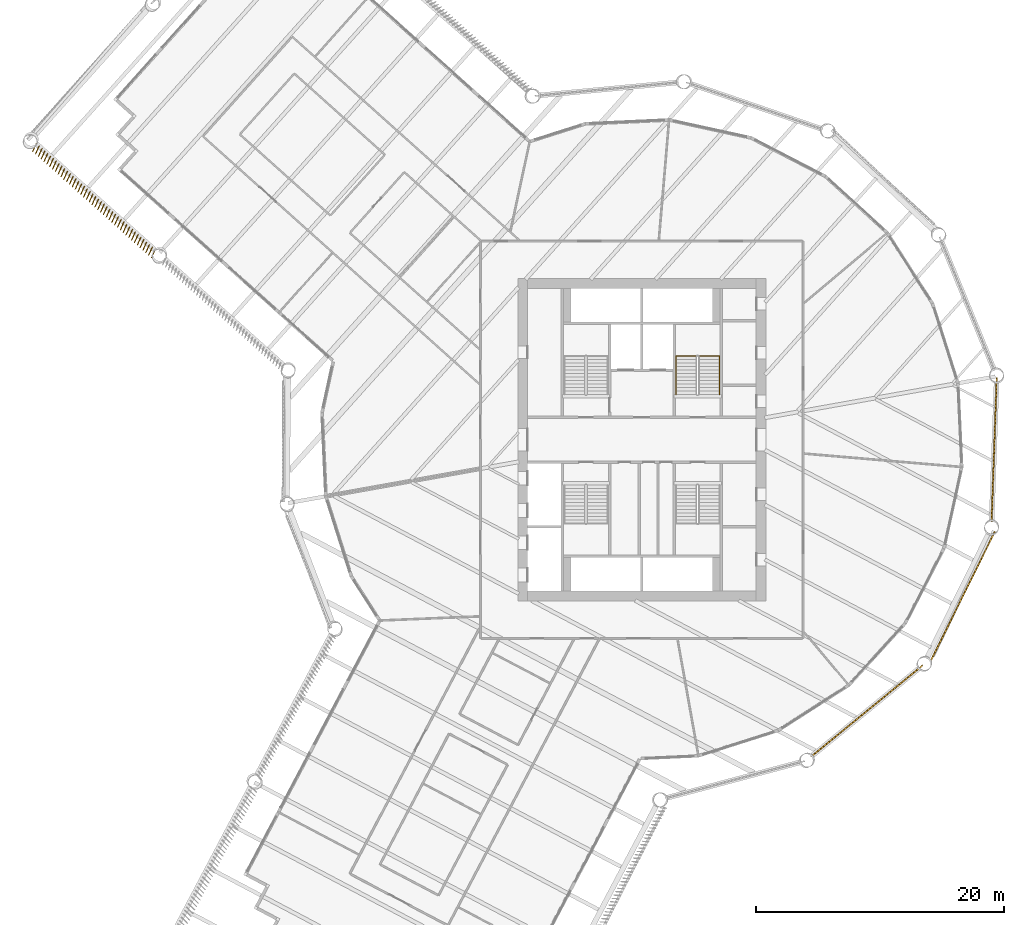
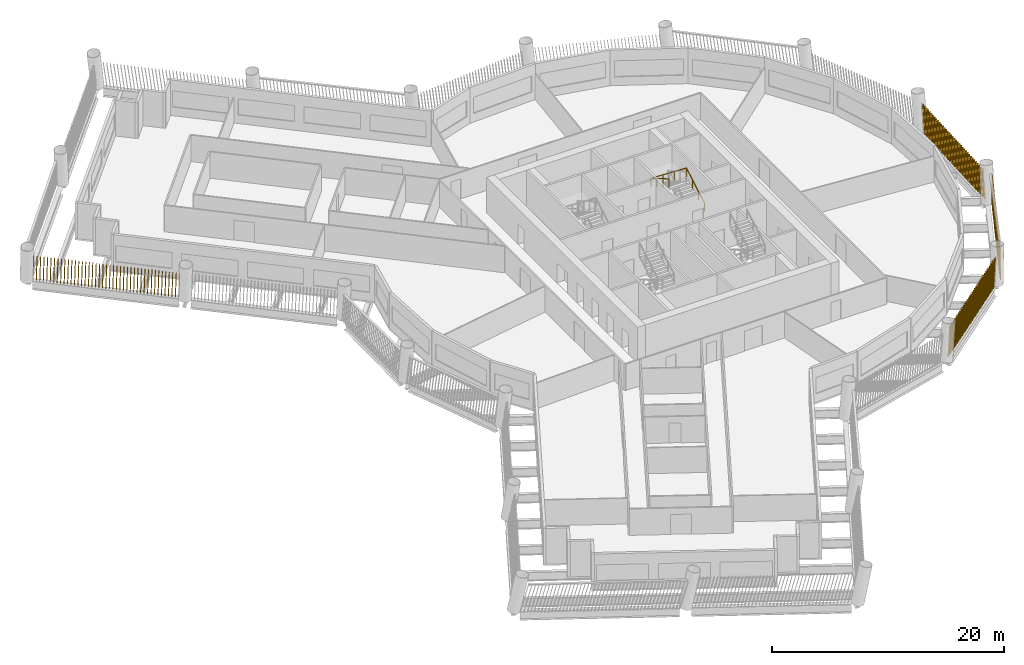
# One storey, part 13 of 16: 4 shading devices, 1 railing.
"""IFC4 building model written with IfcOpenShell, lengths in metres."""

from ifc_helpers import new_model, si_unit, direction, frame, frame_2d, origin, origin_2d, place, context, subcontext, project, spatial, rectangle, circle, composite_profile, extrude, material, type_object, element, save


model = new_model("IFC4")

# Units and contexts
model_context = context("Model", 3, precision=1e-05, world=origin(), true_north=direction((0.0, 1.0)))
body_context = subcontext(model_context, "Body", "Model", "MODEL_VIEW")
ifc_project = project(units=[si_unit("LENGTHUNIT", "METRE"), si_unit("AREAUNIT", "SQUARE_METRE"), si_unit("VOLUMEUNIT", "CUBIC_METRE"), si_unit("PLANEANGLEUNIT", "RADIAN"), si_unit("MASSUNIT", "GRAM", prefix="KILO")], contexts=[model_context])

# Site, building, storey
site_placement = place(None, origin())
site = spatial("IfcSite", under=ifc_project, at=site_placement, CompositionType="ELEMENT")
building_placement = place(site_placement, origin())
building = spatial("IfcBuilding", under=site, at=building_placement, Name="Tarsis Ring Headquarters", CompositionType="ELEMENT")
storey_placement = place(building_placement, frame((0.0, 0.0, 96.699951171875)))
storey = spatial("IfcBuildingStorey", under=building, at=storey_placement, Name="L21", CompositionType="ELEMENT", Elevation=96.699951171875)

# Railing
ifc_material_1 = material(Name="Steel S355", Category="steel")
railing_type = type_object("IfcRailingType", Name="Core stair handrail 900", PredefinedType="HANDRAIL", material=ifc_material_1)
railing_placement = place(storey_placement, frame((6.25, 3.659912109375, 0.16259765625)))
element("IfcRailing", 1, at=railing_placement, inside=storey, type_object=railing_type, Name="L21 ST2 stair handrail 1", PredefinedType="HANDRAIL", context=body_context, shape_type="SweptSolid", body=[
    extrude(circle(Radius=0.02392578125, at=origin_2d()), frame((0.0, 0.0, 0.8759765625), z_axis=(0.0, 0.864920483161, 0.501908913857), x_axis=(-1.0, 0.0, 0.0)), (0.0, 0.0, 1.0), 3.56103515625),
    extrude(circle(Radius=0.02392578125, at=origin_2d()), frame((0.0, 3.080078125, 2.6630859375), z_axis=(-0.998922641604, 0.0, 0.046406422943), x_axis=(0.0, -1.0, 0.0)), (0.0, 0.0, 1.0), 3.503662109375),
    extrude(circle(Radius=0.02392578125, at=origin_2d()), frame((-3.5, 3.080078125, 2.82568359375), z_axis=(0.0, -0.864890721111, 0.501960198159), x_axis=(1.0, 0.0, 0.0)), (0.0, 0.0, 1.0), 3.561279296875),
    extrude(circle(Radius=0.02099609375, at=origin_2d()), origin(), (0.0, 0.0, 1.0), 0.851806640625),
    extrude(circle(Radius=0.02099609375, at=origin_2d()), frame((0.0, 1.026611328125, 0.595703125)), (0.0, 0.0, 1.0), 0.851806640625),
    extrude(circle(Radius=0.02099609375, at=origin_2d()), frame((0.0, 2.053466796875, 1.191650390625)), (0.0, 0.0, 1.0), 0.851806640625),
    extrude(circle(Radius=0.02099609375, at=origin_2d()), frame((0.0, 3.080078125, 1.787353515625)), (0.0, 0.0, 1.0), 0.851806640625),
    extrude(circle(Radius=0.02099609375, at=origin_2d()), frame((-1.166748046875, 3.080078125, 1.841552734375)), (0.0, 0.0, 1.0), 0.851806640625),
    extrude(circle(Radius=0.02099609375, at=origin_2d()), frame((-2.333251953125, 3.080078125, 1.895751953125)), (0.0, 0.0, 1.0), 0.851806640625),
    extrude(circle(Radius=0.02099609375, at=origin_2d()), frame((-3.5, 3.080078125, 1.949951171875)), (0.0, 0.0, 1.0), 0.851806640625),
    extrude(circle(Radius=0.02099609375, at=origin_2d()), frame((-3.5, 2.053466796875, 2.5458984375)), (0.0, 0.0, 1.0), 0.851806640625),
    extrude(circle(Radius=0.02099609375, at=origin_2d()), frame((-3.5, 1.026611328125, 3.1416015625)), (0.0, 0.0, 1.0), 0.851806640625),
    extrude(circle(Radius=0.02099609375, at=origin_2d()), frame((-3.5, 0.0, 3.737548828125)), (0.0, 0.0, 1.0), 0.851806640625),
])

# Shading devices
ifc_material_2 = material(Name="Terracotta baguette", Category="masonry")
shading_device_type = type_object("IfcShadingDeviceType", Name="Terracotta baguette screen", PredefinedType="USERDEFINED", material=ifc_material_2)
shading_device_1_placement = place(storey_placement, frame((13.62548828125, -25.539794921875, 0.0), z_axis=(0.0, 0.0, 1.0), x_axis=(0.774020618557, 0.633163320673, 0.0)))
element("IfcShadingDevice", 2, at=shading_device_1_placement, inside=storey, type_object=shading_device_type, Name="Baguette screen L21-08", ObjectType="Terracotta baguette screen", PredefinedType="USERDEFINED", context=body_context, shape_type="SweptSolid", body=[
    extrude(composite_profile([rectangle(XDim=0.06005859375, YDim=0.1201171875, at=frame_2d((0.030029296875, 0.0))), rectangle(XDim=0.06005859375, YDim=0.1201171875, at=frame_2d((0.33251953125, 0.0))), rectangle(XDim=0.06005859375, YDim=0.1201171875, at=frame_2d((0.634765625, 0.0))), rectangle(XDim=0.06005859375, YDim=0.1201171875, at=frame_2d((0.937255859375, 0.0))), rectangle(XDim=0.06005859375, YDim=0.1201171875, at=frame_2d((1.239501953125, 0.0))), rectangle(XDim=0.06005859375, YDim=0.1201171875, at=frame_2d((1.5419921875, 0.0))), rectangle(XDim=0.06005859375, YDim=0.1201171875, at=frame_2d((1.844482421875, 0.0))), rectangle(XDim=0.06005859375, YDim=0.1201171875, at=frame_2d((2.146728515625, 0.0))), rectangle(XDim=0.06005859375, YDim=0.1201171875, at=frame_2d((2.44921875, 0.0))), rectangle(XDim=0.06005859375, YDim=0.1201171875, at=frame_2d((2.751708984375, 0.0))), rectangle(XDim=0.06005859375, YDim=0.1201171875, at=frame_2d((3.053955078125, 0.0))), rectangle(XDim=0.06005859375, YDim=0.1201171875, at=frame_2d((3.3564453125, 0.0))), rectangle(XDim=0.06005859375, YDim=0.1201171875, at=frame_2d((3.65869140625, 0.0))), rectangle(XDim=0.06005859375, YDim=0.1201171875, at=frame_2d((3.961181640625, 0.0))), rectangle(XDim=0.06005859375, YDim=0.1201171875, at=frame_2d((4.263671875, 0.0))), rectangle(XDim=0.06005859375, YDim=0.1201171875, at=frame_2d((4.56591796875, 0.0))), rectangle(XDim=0.06005859375, YDim=0.1201171875, at=frame_2d((4.868408203125, 0.0))), rectangle(XDim=0.06005859375, YDim=0.1201171875, at=frame_2d((5.1708984375, 0.0))), rectangle(XDim=0.06005859375, YDim=0.1201171875, at=frame_2d((5.47314453125, 0.0))), rectangle(XDim=0.06005859375, YDim=0.1201171875, at=frame_2d((5.775634765625, 0.0))), rectangle(XDim=0.06005859375, YDim=0.1201171875, at=frame_2d((6.077880859375, 0.0))), rectangle(XDim=0.06005859375, YDim=0.1201171875, at=frame_2d((6.38037109375, 0.0))), rectangle(XDim=0.06005859375, YDim=0.1201171875, at=frame_2d((6.682861328125, 0.0))), rectangle(XDim=0.06005859375, YDim=0.1201171875, at=frame_2d((6.985107421875, 0.0))), rectangle(XDim=0.06005859375, YDim=0.1201171875, at=frame_2d((7.28759765625, 0.0))), rectangle(XDim=0.06005859375, YDim=0.1201171875, at=frame_2d((7.590087890625, 0.0))), rectangle(XDim=0.06005859375, YDim=0.1201171875, at=frame_2d((7.892333984375, 0.0))), rectangle(XDim=0.06005859375, YDim=0.1201171875, at=frame_2d((8.19482421875, 0.0))), rectangle(XDim=0.06005859375, YDim=0.1201171875, at=frame_2d((8.4970703125, 0.0))), rectangle(XDim=0.06005859375, YDim=0.1201171875, at=frame_2d((8.799560546875, 0.0))), rectangle(XDim=0.06005859375, YDim=0.1201171875, at=frame_2d((9.10205078125, 0.0))), rectangle(XDim=0.06005859375, YDim=0.1201171875, at=frame_2d((9.404296875, 0.0))), rectangle(XDim=0.06005859375, YDim=0.1201171875, at=frame_2d((9.706787109375, 0.0))), rectangle(XDim=0.06005859375, YDim=0.1201171875, at=frame_2d((10.00927734375, 0.0))), rectangle(XDim=0.06005859375, YDim=0.1201171875, at=frame_2d((10.3115234375, 0.0))), rectangle(XDim=0.06005859375, YDim=0.1201171875, at=frame_2d((10.614013671875, 0.0))), rectangle(XDim=0.06005859375, YDim=0.1201171875, at=frame_2d((10.916259765625, 0.0))), rectangle(XDim=0.06005859375, YDim=0.1201171875, at=frame_2d((11.21875, 0.0)))]), origin(), (0.129810441522, 0.000883397486, 0.991538435403), 2.977783203125),
])
shading_device_2_placement = place(storey_placement, frame((23.277587890625, -17.819580078125, 0.0), z_axis=(0.0, 0.0, 1.0), x_axis=(0.444220167557, 0.895928289274, 0.0)))
element("IfcShadingDevice", 3, at=shading_device_2_placement, inside=storey, type_object=shading_device_type, Name="Baguette screen L21-09", ObjectType="Terracotta baguette screen", PredefinedType="USERDEFINED", context=body_context, shape_type="SweptSolid", body=[
    extrude(composite_profile([rectangle(XDim=0.06005859375, YDim=0.1201171875, at=frame_2d((0.030029296875, 0.0))), rectangle(XDim=0.06005859375, YDim=0.1201171875, at=frame_2d((0.33251953125, 0.0))), rectangle(XDim=0.06005859375, YDim=0.1201171875, at=frame_2d((0.634765625, 0.0))), rectangle(XDim=0.06005859375, YDim=0.1201171875, at=frame_2d((0.937255859375, 0.0))), rectangle(XDim=0.06005859375, YDim=0.1201171875, at=frame_2d((1.239501953125, 0.0))), rectangle(XDim=0.06005859375, YDim=0.1201171875, at=frame_2d((1.5419921875, 0.0))), rectangle(XDim=0.06005859375, YDim=0.1201171875, at=frame_2d((1.844482421875, 0.0))), rectangle(XDim=0.06005859375, YDim=0.1201171875, at=frame_2d((2.146728515625, 0.0))), rectangle(XDim=0.06005859375, YDim=0.1201171875, at=frame_2d((2.44921875, 0.0))), rectangle(XDim=0.06005859375, YDim=0.1201171875, at=frame_2d((2.751708984375, 0.0))), rectangle(XDim=0.06005859375, YDim=0.1201171875, at=frame_2d((3.053955078125, 0.0))), rectangle(XDim=0.06005859375, YDim=0.1201171875, at=frame_2d((3.3564453125, 0.0))), rectangle(XDim=0.06005859375, YDim=0.1201171875, at=frame_2d((3.65869140625, 0.0))), rectangle(XDim=0.06005859375, YDim=0.1201171875, at=frame_2d((3.961181640625, 0.0))), rectangle(XDim=0.06005859375, YDim=0.1201171875, at=frame_2d((4.263671875, 0.0))), rectangle(XDim=0.06005859375, YDim=0.1201171875, at=frame_2d((4.56591796875, 0.0))), rectangle(XDim=0.06005859375, YDim=0.1201171875, at=frame_2d((4.868408203125, 0.0))), rectangle(XDim=0.06005859375, YDim=0.1201171875, at=frame_2d((5.1708984375, 0.0))), rectangle(XDim=0.06005859375, YDim=0.1201171875, at=frame_2d((5.47314453125, 0.0))), rectangle(XDim=0.06005859375, YDim=0.1201171875, at=frame_2d((5.775634765625, 0.0))), rectangle(XDim=0.06005859375, YDim=0.1201171875, at=frame_2d((6.077880859375, 0.0))), rectangle(XDim=0.06005859375, YDim=0.1201171875, at=frame_2d((6.38037109375, 0.0))), rectangle(XDim=0.06005859375, YDim=0.1201171875, at=frame_2d((6.682861328125, 0.0))), rectangle(XDim=0.06005859375, YDim=0.1201171875, at=frame_2d((6.985107421875, 0.0))), rectangle(XDim=0.06005859375, YDim=0.1201171875, at=frame_2d((7.28759765625, 0.0))), rectangle(XDim=0.06005859375, YDim=0.1201171875, at=frame_2d((7.590087890625, 0.0))), rectangle(XDim=0.06005859375, YDim=0.1201171875, at=frame_2d((7.892333984375, 0.0))), rectangle(XDim=0.06005859375, YDim=0.1201171875, at=frame_2d((8.19482421875, 0.0))), rectangle(XDim=0.06005859375, YDim=0.1201171875, at=frame_2d((8.4970703125, 0.0))), rectangle(XDim=0.06005859375, YDim=0.1201171875, at=frame_2d((8.799560546875, 0.0))), rectangle(XDim=0.06005859375, YDim=0.1201171875, at=frame_2d((9.10205078125, 0.0))), rectangle(XDim=0.06005859375, YDim=0.1201171875, at=frame_2d((9.404296875, 0.0))), rectangle(XDim=0.06005859375, YDim=0.1201171875, at=frame_2d((9.706787109375, 0.0))), rectangle(XDim=0.06005859375, YDim=0.1201171875, at=frame_2d((10.00927734375, 0.0))), rectangle(XDim=0.06005859375, YDim=0.1201171875, at=frame_2d((10.3115234375, 0.0))), rectangle(XDim=0.06005859375, YDim=0.1201171875, at=frame_2d((10.614013671875, 0.0))), rectangle(XDim=0.06005859375, YDim=0.1201171875, at=frame_2d((10.916259765625, 0.0))), rectangle(XDim=0.06005859375, YDim=0.1201171875, at=frame_2d((11.21875, 0.0)))]), origin(), (0.131496383724, 0.000893735792, 0.991316247372), 2.978515625),
])
shading_device_3_placement = place(storey_placement, frame((28.178466796875, -6.62744140625, 0.0), z_axis=(0.0, 0.0, 1.0), x_axis=(0.03544144457, 0.999370605087, 0.0)))
element("IfcShadingDevice", 4, at=shading_device_3_placement, inside=storey, type_object=shading_device_type, Name="Baguette screen L21-10", ObjectType="Terracotta baguette screen", PredefinedType="USERDEFINED", context=body_context, shape_type="SweptSolid", body=[
    extrude(composite_profile([rectangle(XDim=0.06005859375, YDim=0.1201171875, at=frame_2d((0.030029296875, 0.0))), rectangle(XDim=0.06005859375, YDim=0.1201171875, at=frame_2d((0.33251953125, 0.0))), rectangle(XDim=0.06005859375, YDim=0.1201171875, at=frame_2d((0.634765625, 0.0))), rectangle(XDim=0.06005859375, YDim=0.1201171875, at=frame_2d((0.937255859375, 0.0))), rectangle(XDim=0.06005859375, YDim=0.1201171875, at=frame_2d((1.239501953125, 0.0))), rectangle(XDim=0.06005859375, YDim=0.1201171875, at=frame_2d((1.5419921875, 0.0))), rectangle(XDim=0.06005859375, YDim=0.1201171875, at=frame_2d((1.844482421875, 0.0))), rectangle(XDim=0.06005859375, YDim=0.1201171875, at=frame_2d((2.146728515625, 0.0))), rectangle(XDim=0.06005859375, YDim=0.1201171875, at=frame_2d((2.44921875, 0.0))), rectangle(XDim=0.06005859375, YDim=0.1201171875, at=frame_2d((2.751708984375, 0.0))), rectangle(XDim=0.06005859375, YDim=0.1201171875, at=frame_2d((3.053955078125, 0.0))), rectangle(XDim=0.06005859375, YDim=0.1201171875, at=frame_2d((3.3564453125, 0.0))), rectangle(XDim=0.06005859375, YDim=0.1201171875, at=frame_2d((3.65869140625, 0.0))), rectangle(XDim=0.06005859375, YDim=0.1201171875, at=frame_2d((3.961181640625, 0.0))), rectangle(XDim=0.06005859375, YDim=0.1201171875, at=frame_2d((4.263671875, 0.0))), rectangle(XDim=0.06005859375, YDim=0.1201171875, at=frame_2d((4.56591796875, 0.0))), rectangle(XDim=0.06005859375, YDim=0.1201171875, at=frame_2d((4.868408203125, 0.0))), rectangle(XDim=0.06005859375, YDim=0.1201171875, at=frame_2d((5.1708984375, 0.0))), rectangle(XDim=0.06005859375, YDim=0.1201171875, at=frame_2d((5.47314453125, 0.0))), rectangle(XDim=0.06005859375, YDim=0.1201171875, at=frame_2d((5.775634765625, 0.0))), rectangle(XDim=0.06005859375, YDim=0.1201171875, at=frame_2d((6.077880859375, 0.0))), rectangle(XDim=0.06005859375, YDim=0.1201171875, at=frame_2d((6.38037109375, 0.0))), rectangle(XDim=0.06005859375, YDim=0.1201171875, at=frame_2d((6.682861328125, 0.0))), rectangle(XDim=0.06005859375, YDim=0.1201171875, at=frame_2d((6.985107421875, 0.0))), rectangle(XDim=0.06005859375, YDim=0.1201171875, at=frame_2d((7.28759765625, 0.0))), rectangle(XDim=0.06005859375, YDim=0.1201171875, at=frame_2d((7.590087890625, 0.0))), rectangle(XDim=0.06005859375, YDim=0.1201171875, at=frame_2d((7.892333984375, 0.0))), rectangle(XDim=0.06005859375, YDim=0.1201171875, at=frame_2d((8.19482421875, 0.0))), rectangle(XDim=0.06005859375, YDim=0.1201171875, at=frame_2d((8.4970703125, 0.0))), rectangle(XDim=0.06005859375, YDim=0.1201171875, at=frame_2d((8.799560546875, 0.0))), rectangle(XDim=0.06005859375, YDim=0.1201171875, at=frame_2d((9.10205078125, 0.0))), rectangle(XDim=0.06005859375, YDim=0.1201171875, at=frame_2d((9.404296875, 0.0))), rectangle(XDim=0.06005859375, YDim=0.1201171875, at=frame_2d((9.706787109375, 0.0))), rectangle(XDim=0.06005859375, YDim=0.1201171875, at=frame_2d((10.00927734375, 0.0))), rectangle(XDim=0.06005859375, YDim=0.1201171875, at=frame_2d((10.3115234375, 0.0))), rectangle(XDim=0.06005859375, YDim=0.1201171875, at=frame_2d((10.614013671875, 0.0))), rectangle(XDim=0.06005859375, YDim=0.1201171875, at=frame_2d((10.916259765625, 0.0))), rectangle(XDim=0.06005859375, YDim=0.1201171875, at=frame_2d((11.21875, 0.0)))]), origin(), (0.1298098621, 0.00088341018, 0.991538511248), 2.977783203125),
])
shading_device_4_placement = place(storey_placement, frame((-48.828125, 23.877685546875, 0.0), z_axis=(0.0, 0.0, 1.0), x_axis=(0.744777475023, -0.667310021193, 0.0)))
element("IfcShadingDevice", 5, at=shading_device_4_placement, inside=storey, type_object=shading_device_type, Name="Baguette screen L21-19", ObjectType="Terracotta baguette screen", PredefinedType="USERDEFINED", context=body_context, shape_type="SweptSolid", body=[
    extrude(composite_profile([rectangle(XDim=0.06005859375, YDim=0.1201171875, at=frame_2d((0.030029296875, 0.0))), rectangle(XDim=0.06005859375, YDim=0.1201171875, at=frame_2d((0.335693359375, 0.0))), rectangle(XDim=0.06005859375, YDim=0.1201171875, at=frame_2d((0.6416015625, 0.0))), rectangle(XDim=0.06005859375, YDim=0.1201171875, at=frame_2d((0.947265625, 0.0))), rectangle(XDim=0.06005859375, YDim=0.1201171875, at=frame_2d((1.253173828125, 0.0))), rectangle(XDim=0.06005859375, YDim=0.1201171875, at=frame_2d((1.558837890625, 0.0))), rectangle(XDim=0.06005859375, YDim=0.1201171875, at=frame_2d((1.864501953125, 0.0))), rectangle(XDim=0.06005859375, YDim=0.1201171875, at=frame_2d((2.17041015625, 0.0))), rectangle(XDim=0.06005859375, YDim=0.1201171875, at=frame_2d((2.47607421875, 0.0))), rectangle(XDim=0.06005859375, YDim=0.1201171875, at=frame_2d((2.781982421875, 0.0))), rectangle(XDim=0.06005859375, YDim=0.1201171875, at=frame_2d((3.087646484375, 0.0))), rectangle(XDim=0.06005859375, YDim=0.1201171875, at=frame_2d((3.393310546875, 0.0))), rectangle(XDim=0.06005859375, YDim=0.1201171875, at=frame_2d((3.69921875, 0.0))), rectangle(XDim=0.06005859375, YDim=0.1201171875, at=frame_2d((4.0048828125, 0.0))), rectangle(XDim=0.06005859375, YDim=0.1201171875, at=frame_2d((4.310791015625, 0.0))), rectangle(XDim=0.06005859375, YDim=0.1201171875, at=frame_2d((4.616455078125, 0.0))), rectangle(XDim=0.06005859375, YDim=0.1201171875, at=frame_2d((4.922119140625, 0.0))), rectangle(XDim=0.06005859375, YDim=0.1201171875, at=frame_2d((5.22802734375, 0.0))), rectangle(XDim=0.06005859375, YDim=0.1201171875, at=frame_2d((5.53369140625, 0.0))), rectangle(XDim=0.06005859375, YDim=0.1201171875, at=frame_2d((5.839599609375, 0.0))), rectangle(XDim=0.06005859375, YDim=0.1201171875, at=frame_2d((6.145263671875, 0.0))), rectangle(XDim=0.06005859375, YDim=0.1201171875, at=frame_2d((6.451171875, 0.0))), rectangle(XDim=0.06005859375, YDim=0.1201171875, at=frame_2d((6.7568359375, 0.0))), rectangle(XDim=0.06005859375, YDim=0.1201171875, at=frame_2d((7.0625, 0.0))), rectangle(XDim=0.06005859375, YDim=0.1201171875, at=frame_2d((7.368408203125, 0.0))), rectangle(XDim=0.06005859375, YDim=0.1201171875, at=frame_2d((7.674072265625, 0.0))), rectangle(XDim=0.06005859375, YDim=0.1201171875, at=frame_2d((7.97998046875, 0.0))), rectangle(XDim=0.06005859375, YDim=0.1201171875, at=frame_2d((8.28564453125, 0.0))), rectangle(XDim=0.06005859375, YDim=0.1201171875, at=frame_2d((8.59130859375, 0.0))), rectangle(XDim=0.06005859375, YDim=0.1201171875, at=frame_2d((8.897216796875, 0.0))), rectangle(XDim=0.06005859375, YDim=0.1201171875, at=frame_2d((9.202880859375, 0.0))), rectangle(XDim=0.06005859375, YDim=0.1201171875, at=frame_2d((9.5087890625, 0.0))), rectangle(XDim=0.06005859375, YDim=0.1201171875, at=frame_2d((9.814453125, 0.0))), rectangle(XDim=0.06005859375, YDim=0.1201171875, at=frame_2d((10.1201171875, 0.0))), rectangle(XDim=0.06005859375, YDim=0.1201171875, at=frame_2d((10.426025390625, 0.0))), rectangle(XDim=0.06005859375, YDim=0.1201171875, at=frame_2d((10.731689453125, 0.0))), rectangle(XDim=0.06005859375, YDim=0.1201171875, at=frame_2d((11.03759765625, 0.0))), rectangle(XDim=0.06005859375, YDim=0.1201171875, at=frame_2d((11.34326171875, 0.0))), rectangle(XDim=0.06005859375, YDim=0.1201171875, at=frame_2d((11.64892578125, 0.0))), rectangle(XDim=0.06005859375, YDim=0.1201171875, at=frame_2d((11.954833984375, 0.0))), rectangle(XDim=0.06005859375, YDim=0.1201171875, at=frame_2d((12.260498046875, 0.0))), rectangle(XDim=0.06005859375, YDim=0.1201171875, at=frame_2d((12.56640625, 0.0))), rectangle(XDim=0.06005859375, YDim=0.1201171875, at=frame_2d((12.8720703125, 0.0)))]), origin(), (0.068016003391, -0.205903300459, 0.976205743756), 3.024658203125),
])

save(model, "model.ifc")
